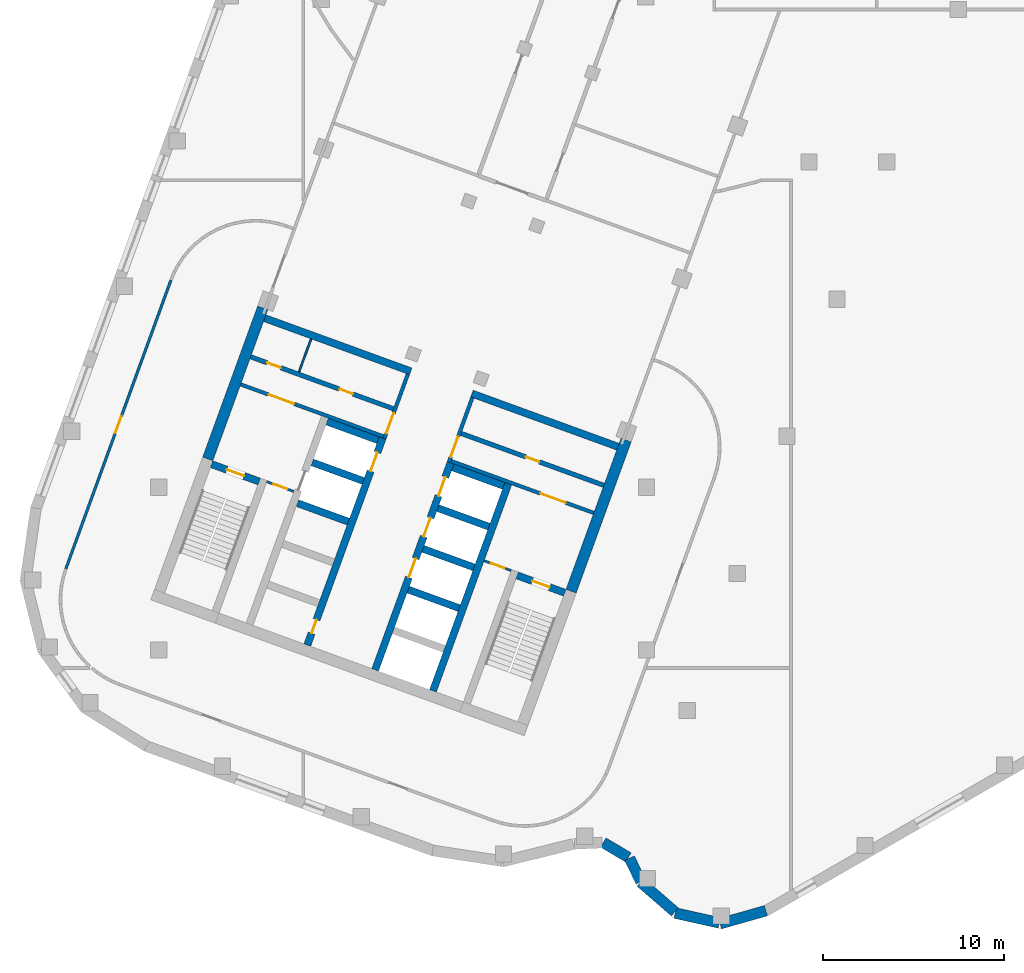
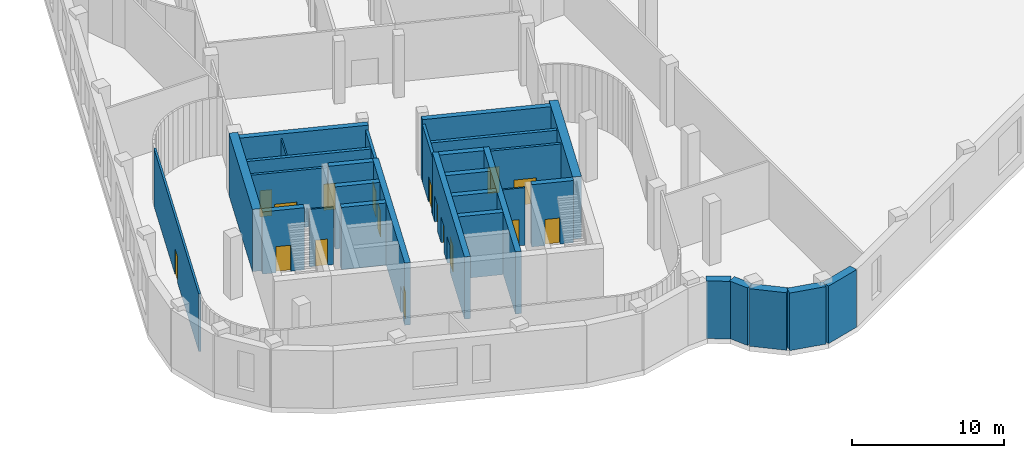
# One storey, part 4 of 18: 31 walls, 17 doors, 17 openings.
"""IFC4 building model written with IfcOpenShell, lengths in metres."""

from ifc_helpers import new_model, si_unit, direction, frame, frame_2d, origin, place, context, subcontext, project, spatial, rectangle, extrude, material, layer, layer_set, type_object, element, fill, save


model = new_model("IFC4")

# Units and contexts
model_context = context("Model", 3, precision=1e-05, world=origin(), true_north=direction((0.0, 1.0)))
body_context = subcontext(model_context, "Body", "Model", "MODEL_VIEW")
ifc_project = project(units=[si_unit("LENGTHUNIT", "METRE"), si_unit("AREAUNIT", "SQUARE_METRE"), si_unit("VOLUMEUNIT", "CUBIC_METRE"), si_unit("PLANEANGLEUNIT", "RADIAN"), si_unit("MASSUNIT", "GRAM", prefix="KILO")], contexts=[model_context])

# Site, building, storey
site_placement = place(None, origin())
site = spatial("IfcSite", under=ifc_project, at=site_placement, CompositionType="ELEMENT")
building_placement = place(site_placement, origin())
building = spatial("IfcBuilding", under=site, at=building_placement, Name="Skarvind Civic Tower", CompositionType="ELEMENT")
storey_placement = place(building_placement, frame((0.0, 0.0, 22.5)))
storey = spatial("IfcBuildingStorey", under=building, at=storey_placement, Name="L04", CompositionType="ELEMENT", Elevation=22.5)

# Wall, opening, door
ifc_material_1 = material(Name="Fire-rated masonry partition", Category="masonry")
ifc_layer_1 = layer(ifc_material_1, 0.199951171875)
ifc_layer_set_1 = layer_set([ifc_layer_1], Name="Core enclosure wall 200")
wall_type_1 = type_object("IfcWallType", Name="Core enclosure wall 200", PredefinedType="PARTITIONING", material=ifc_layer_set_1)
wall_1_placement = place(storey_placement, frame((31.491455078125, 93.693359375, 0.0), z_axis=(0.0, 0.0, 1.0), x_axis=(0.341995824804, 0.939701471648, 0.0)))
wall_1 = element("IfcWall", 1, at=wall_1_placement, inside=storey, type_object=wall_type_1, Name="Core wall C2", PredefinedType="PARTITIONING", context=body_context, shape_type="SweptSolid", body=[
    extrude(rectangle(XDim=3.800048828125, YDim=0.199951171875, at=frame_2d((1.89990234375, 0.0))), origin(), (0.0, 0.0, 1.0), 4.625),
])
opening_1_placement = place(wall_1_placement, frame((0.300048828125, 0.0, 0.0)))
opening_1 = element("IfcOpeningElement", 2, at=opening_1_placement, cuts=wall_1, Name="Opening D-L04-C2-06", PredefinedType="OPENING", context=body_context, shape_type="SweptSolid", body=[
    extrude(rectangle(XDim=1.199951171875, YDim=2.10009765625, at=frame_2d((0.60009765625, 1.050048828125))), frame((0.0, 0.10986328125, 0.0), z_axis=(0.0, -1.0, 0.0), x_axis=(1.0, 0.0, 0.0)), (0.0, 0.0, 1.0), 0.219970703125),
])
ifc_material_2 = material(Name="Fire-rated steel door", Category="steel")
door_type_1 = type_object("IfcDoorType", Name="Core lobby door 1200", OperationType="NOTDEFINED", PredefinedType="DOOR", material=ifc_material_2)
door_1_placement = place(opening_1_placement, origin())
door_1 = element("IfcDoor", 3, at=door_1_placement, inside=storey, type_object=door_type_1, Name="Fire door", OperationType="DOUBLE_DOOR_SINGLE_SWING", OverallHeight=2.10009765625, OverallWidth=1.199951171875, PredefinedType="DOOR", context=body_context, shape_type="SweptSolid", body=[
    extrude(rectangle(XDim=1.199951171875, YDim=2.10009765625, at=frame_2d((0.60009765625, 1.050048828125))), frame((0.0, 0.02490234375, 0.0), z_axis=(0.0, -1.0, 0.0), x_axis=(1.0, 0.0, 0.0)), (0.0, 0.0, 1.0), 0.050048828125),
])
fill(opening_1, door_1)

wall_2_placement = place(storey_placement, frame((23.5380859375, 96.6943359375, 0.0), z_axis=(0.0, 0.0, 1.0), x_axis=(0.939691552312, -0.342023078919, 0.0)))
wall_2 = element("IfcWall", 4, at=wall_2_placement, inside=storey, type_object=wall_type_1, Name="Core wall C2", PredefinedType="PARTITIONING", context=body_context, shape_type="SweptSolid", body=[
    extrude(rectangle(XDim=8.400146484375, YDim=0.199951171875, at=frame_2d((4.2001953125, 0.0))), origin(), (0.0, 0.0, 1.0), 4.625),
])
opening_2_placement = place(wall_2_placement, frame((1.64990234375, 0.0, 0.0)))
opening_2 = element("IfcOpeningElement", 5, at=opening_2_placement, cuts=wall_2, Name="Opening D-L04-C2-07", PredefinedType="OPENING", context=body_context, shape_type="SweptSolid", body=[
    extrude(rectangle(XDim=1.5, YDim=2.10009765625, at=frame_2d((0.75, 1.050048828125))), frame((0.0, 0.10986328125, 0.0), z_axis=(0.0, -1.0, 0.0), x_axis=(1.0, 0.0, 0.0)), (0.0, 0.0, 1.0), 0.219970703125),
])
door_type_2 = type_object("IfcDoorType", Name="Fire door 1500", OperationType="NOTDEFINED", PredefinedType="DOOR", material=ifc_material_2)
door_2_placement = place(opening_2_placement, origin())
door_2 = element("IfcDoor", 6, at=door_2_placement, inside=storey, type_object=door_type_2, Name="Fire door", OperationType="DOUBLE_DOOR_SINGLE_SWING", OverallHeight=2.10009765625, OverallWidth=1.5, PredefinedType="DOOR", context=body_context, shape_type="SweptSolid", body=[
    extrude(rectangle(XDim=1.5, YDim=2.10009765625, at=frame_2d((0.75, 1.050048828125))), frame((0.0, 0.02490234375, 0.0), z_axis=(0.0, -1.0, 0.0), x_axis=(1.0, 0.0, 0.0)), (0.0, 0.0, 1.0), 0.050048828125),
])
fill(opening_2, door_2)

wall_3_placement = place(storey_placement, frame((36.36181640625, 95.96435546875, 0.0), z_axis=(0.0, 0.0, 1.0), x_axis=(-0.341995824804, -0.939701471648, 0.0)))
wall_3 = element("IfcWall", 7, at=wall_3_placement, inside=storey, type_object=wall_type_1, Name="Core wall C2", PredefinedType="PARTITIONING", context=body_context, shape_type="SweptSolid", body=[
    extrude(rectangle(XDim=3.800048828125, YDim=0.199951171875, at=frame_2d((1.89990234375, 0.0))), origin(), (0.0, 0.0, 1.0), 4.625),
])
opening_3_placement = place(wall_3_placement, frame((2.300048828125, 0.0, 0.0)))
opening_3 = element("IfcOpeningElement", 8, at=opening_3_placement, cuts=wall_3, Name="Opening D-L04-C2-12", PredefinedType="OPENING", context=body_context, shape_type="SweptSolid", body=[
    extrude(rectangle(XDim=1.199951171875, YDim=2.10009765625, at=frame_2d((0.60009765625, 1.050048828125))), frame((0.0, 0.10986328125, 0.0), z_axis=(0.0, -1.0, 0.0), x_axis=(1.0, 0.0, 0.0)), (0.0, 0.0, 1.0), 0.219970703125),
])
door_3_placement = place(opening_3_placement, origin())
door_3 = element("IfcDoor", 9, at=door_3_placement, inside=storey, type_object=door_type_1, Name="Fire door", OperationType="DOUBLE_DOOR_SINGLE_SWING", OverallHeight=2.10009765625, OverallWidth=1.199951171875, PredefinedType="DOOR", context=body_context, shape_type="SweptSolid", body=[
    extrude(rectangle(XDim=1.199951171875, YDim=2.10009765625, at=frame_2d((0.60009765625, 1.050048828125))), frame((0.0, 0.02490234375, 0.0), z_axis=(0.0, -1.0, 0.0), x_axis=(1.0, 0.0, 0.0)), (0.0, 0.0, 1.0), 0.050048828125),
])
fill(opening_3, door_3)

wall_4_placement = place(storey_placement, frame((35.1904296875, 92.453369140625, 0.0), z_axis=(0.0, 0.0, 1.0), x_axis=(0.939691552312, -0.342023078919, 0.0)))
wall_4 = element("IfcWall", 10, at=wall_4_placement, inside=storey, type_object=wall_type_1, Name="Core wall C2", PredefinedType="PARTITIONING", context=body_context, shape_type="SweptSolid", body=[
    extrude(rectangle(XDim=8.400146484375, YDim=0.199951171875, at=frame_2d((4.2001953125, 0.0))), origin(), (0.0, 0.0, 1.0), 4.625),
])
opening_4_placement = place(wall_4_placement, frame((5.25, 0.0, 0.0)))
opening_4 = element("IfcOpeningElement", 11, at=opening_4_placement, cuts=wall_4, Name="Opening D-L04-C2-13", PredefinedType="OPENING", context=body_context, shape_type="SweptSolid", body=[
    extrude(rectangle(XDim=1.5, YDim=2.10009765625, at=frame_2d((0.75, 1.050048828125))), frame((0.0, 0.10986328125, 0.0), z_axis=(0.0, -1.0, 0.0), x_axis=(1.0, 0.0, 0.0)), (0.0, 0.0, 1.0), 0.219970703125),
])
door_4_placement = place(opening_4_placement, origin())
door_4 = element("IfcDoor", 12, at=door_4_placement, inside=storey, type_object=door_type_2, Name="Fire door", OperationType="DOUBLE_DOOR_SINGLE_SWING", OverallHeight=2.10009765625, OverallWidth=1.5, PredefinedType="DOOR", context=body_context, shape_type="SweptSolid", body=[
    extrude(rectangle(XDim=1.5, YDim=2.10009765625, at=frame_2d((0.75, 1.050048828125))), frame((0.0, 0.02490234375, 0.0), z_axis=(0.0, -1.0, 0.0), x_axis=(1.0, 0.0, 0.0)), (0.0, 0.0, 1.0), 0.050048828125),
])
fill(opening_4, door_4)

# Wall
ifc_material_3 = material(Name="Fire-rated plasterboard partition")
ifc_layer_2 = layer(ifc_material_3, 0.10009765625)
ifc_layer_set_2 = layer_set([ifc_layer_2], Name="Core partition wall 100")
wall_type_2 = type_object("IfcWallType", Name="Core partition wall 100", PredefinedType="PARTITIONING", material=ifc_layer_set_2)
wall_5_placement = place(storey_placement, frame((26.767822265625, 97.381103515625, 0.0), z_axis=(0.0, 0.0, 1.0), x_axis=(0.342024501273, 0.939691034611, 0.0)))
element("IfcWall", 13, at=wall_5_placement, inside=storey, type_object=wall_type_2, Name="Core wall C2", PredefinedType="PARTITIONING", context=body_context, shape_type="SweptSolid", body=[
    extrude(rectangle(XDim=1.9501953125, YDim=0.10009765625, at=frame_2d((0.97509765625, 0.0))), origin(), (0.0, 0.0, 1.0), 4.625),
])

# Wall, opening, door
ifc_material_4 = material(Name="Concrete C80", Category="concrete")
ifc_layer_3 = layer(ifc_material_4, 0.39990234375)
ifc_layer_set_3 = layer_set([ifc_layer_3], Name="Core wall 400 C80")
wall_type_3 = type_object("IfcWallType", Name="Core wall 400 C80", PredefinedType="SHEAR", material=ifc_layer_set_3)
wall_6_placement = place(storey_placement, frame((41.476318359375, 85.163818359375, 0.0), z_axis=(0.0, 0.0, 1.0), x_axis=(-0.939678810556, 0.342058084236, 0.0)))
wall_6 = element("IfcWall", 14, at=wall_6_placement, inside=storey, type_object=wall_type_3, Name="Core wall C2 south stair end L04", PredefinedType="SHEAR", context=body_context, shape_type="SweptSolid", body=[
    extrude(rectangle(XDim=2.800048828125, YDim=0.39990234375, at=frame_2d((1.39990234375, 0.0))), origin(), (0.0, 0.0, 1.0), 5.0),
])
opening_5_placement = place(wall_6_placement, frame((0.89990234375, 0.0, 0.0)))
opening_5 = element("IfcOpeningElement", 15, at=opening_5_placement, cuts=wall_6, Name="Opening D-L04-C2-14", PredefinedType="OPENING", context=body_context, shape_type="SweptSolid", body=[
    extrude(rectangle(XDim=1.0, YDim=2.10009765625, at=frame_2d((0.5, 1.050048828125))), frame((0.0, 0.2099609375, 0.0), z_axis=(0.0, -1.0, 0.0), x_axis=(1.0, 0.0, 0.0)), (0.0, 0.0, 1.0), 0.419921875),
])
door_type_3 = type_object("IfcDoorType", Name="Fire door 1000", OperationType="NOTDEFINED", PredefinedType="DOOR", material=ifc_material_2)
door_5_placement = place(opening_5_placement, origin())
door_5 = element("IfcDoor", 16, at=door_5_placement, inside=storey, type_object=door_type_3, Name="Fire door", OperationType="SINGLE_SWING_RIGHT", OverallHeight=2.10009765625, OverallWidth=1.0, PredefinedType="DOOR", context=body_context, shape_type="SweptSolid", body=[
    extrude(rectangle(XDim=1.0, YDim=2.10009765625, at=frame_2d((0.5, 1.050048828125))), frame((0.0, 0.02490234375, 0.0), z_axis=(0.0, -1.0, 0.0), x_axis=(1.0, 0.0, 0.0)), (0.0, 0.0, 1.0), 0.050048828125),
])
fill(opening_5, door_5)

wall_7_placement = place(storey_placement, frame((24.56201171875, 91.3203125, 0.0), z_axis=(0.0, 0.0, 1.0), x_axis=(-0.939717030584, 0.341953070509, 0.0)))
wall_7 = element("IfcWall", 17, at=wall_7_placement, inside=storey, type_object=wall_type_3, Name="Core wall C2 north stair end L04", PredefinedType="SHEAR", context=body_context, shape_type="SweptSolid", body=[
    extrude(rectangle(XDim=2.800048828125, YDim=0.39990234375, at=frame_2d((1.39990234375, 0.0))), origin(), (0.0, 0.0, 1.0), 5.0),
])
opening_6_placement = place(wall_7_placement, frame((0.89990234375, 0.0, 0.0)))
opening_6 = element("IfcOpeningElement", 18, at=opening_6_placement, cuts=wall_7, Name="Opening D-L04-C2-08", PredefinedType="OPENING", context=body_context, shape_type="SweptSolid", body=[
    extrude(rectangle(XDim=1.0, YDim=2.10009765625, at=frame_2d((0.5, 1.050048828125))), frame((0.0, 0.2099609375, 0.0), z_axis=(0.0, -1.0, 0.0), x_axis=(1.0, 0.0, 0.0)), (0.0, 0.0, 1.0), 0.419921875),
])
door_6_placement = place(opening_6_placement, origin())
door_6 = element("IfcDoor", 19, at=door_6_placement, inside=storey, type_object=door_type_3, Name="Fire door", OperationType="SINGLE_SWING_LEFT", OverallHeight=2.10009765625, OverallWidth=1.0, PredefinedType="DOOR", context=body_context, shape_type="SweptSolid", body=[
    extrude(rectangle(XDim=1.0, YDim=2.10009765625, at=frame_2d((0.5, 1.050048828125))), frame((0.0, 0.02490234375, 0.0), z_axis=(0.0, -1.0, 0.0), x_axis=(1.0, 0.0, 0.0)), (0.0, 0.0, 1.0), 0.050048828125),
])
fill(opening_6, door_6)

# Wall, openings, doors
wall_8_placement = place(storey_placement, frame((30.983642578125, 80.895263671875, 0.0), z_axis=(0.0, 0.0, 1.0), x_axis=(0.342021021735, 0.939692301071, 0.0)))
wall_8 = element("IfcWall", 20, at=wall_8_placement, inside=storey, type_object=wall_type_3, Name="Core wall C2 south lift row front L04", PredefinedType="SHEAR", context=body_context, shape_type="SweptSolid", body=[
    extrude(rectangle(XDim=12.199951171875, YDim=0.39990234375, at=frame_2d((6.10009765625, 0.0))), origin(), (0.0, 0.0, 1.0), 5.0),
])
opening_7_placement = place(wall_8_placement, frame((5.449951171875, 0.0, 0.0)))
opening_7 = element("IfcOpeningElement", 21, at=opening_7_placement, cuts=wall_8, Name="Opening LD06208", PredefinedType="OPENING", context=body_context, shape_type="SweptSolid", body=[
    extrude(rectangle(XDim=1.10009765625, YDim=2.10009765625, at=frame_2d((0.550048828125, 1.050048828125))), frame((0.0, 0.2099609375, 0.0), z_axis=(0.0, -1.0, 0.0), x_axis=(1.0, 0.0, 0.0)), (0.0, 0.0, 1.0), 0.419921875),
])
opening_8_placement = place(wall_8_placement, frame((7.85009765625, 0.0, 0.0)))
opening_8 = element("IfcOpeningElement", 22, at=opening_8_placement, cuts=wall_8, Name="Opening LD06209", PredefinedType="OPENING", context=body_context, shape_type="SweptSolid", body=[
    extrude(rectangle(XDim=1.10009765625, YDim=2.10009765625, at=frame_2d((0.550048828125, 1.050048828125))), frame((0.0, 0.2099609375, 0.0), z_axis=(0.0, -1.0, 0.0), x_axis=(1.0, 0.0, 0.0)), (0.0, 0.0, 1.0), 0.419921875),
])
opening_9_placement = place(wall_8_placement, frame((10.25, 0.0, 0.0)))
opening_9 = element("IfcOpeningElement", 23, at=opening_9_placement, cuts=wall_8, Name="Opening LD06210", PredefinedType="OPENING", context=body_context, shape_type="SweptSolid", body=[
    extrude(rectangle(XDim=1.10009765625, YDim=2.10009765625, at=frame_2d((0.550048828125, 1.050048828125))), frame((0.0, 0.2099609375, 0.0), z_axis=(0.0, -1.0, 0.0), x_axis=(1.0, 0.0, 0.0)), (0.0, 0.0, 1.0), 0.419921875),
])
ifc_material_5 = material(Name="Stainless steel landing door", Category="steel")
door_type_4 = type_object("IfcDoorType", Name="Lift landing door 1100", OperationType="DOUBLE_DOOR_SLIDING", PredefinedType="DOOR", material=ifc_material_5)
door_7_placement = place(opening_7_placement, origin())
door_7 = element("IfcDoor", 24, at=door_7_placement, inside=storey, type_object=door_type_4, Name="Lift landing door", OperationType="DOUBLE_DOOR_SLIDING", OverallHeight=2.10009765625, OverallWidth=1.10009765625, PredefinedType="DOOR", context=body_context, shape_type="SweptSolid", body=[
    extrude(rectangle(XDim=1.10009765625, YDim=2.10009765625, at=frame_2d((0.550048828125, 1.050048828125))), frame((0.0, 0.02490234375, 0.0), z_axis=(0.0, -1.0, 0.0), x_axis=(1.0, 0.0, 0.0)), (0.0, 0.0, 1.0), 0.050048828125),
])
fill(opening_7, door_7)
door_8_placement = place(opening_8_placement, origin())
door_8 = element("IfcDoor", 25, at=door_8_placement, inside=storey, type_object=door_type_4, Name="Lift landing door", OperationType="DOUBLE_DOOR_SLIDING", OverallHeight=2.10009765625, OverallWidth=1.10009765625, PredefinedType="DOOR", context=body_context, shape_type="SweptSolid", body=[
    extrude(rectangle(XDim=1.10009765625, YDim=2.10009765625, at=frame_2d((0.550048828125, 1.050048828125))), frame((0.0, 0.02490234375, 0.0), z_axis=(0.0, -1.0, 0.0), x_axis=(1.0, 0.0, 0.0)), (0.0, 0.0, 1.0), 0.050048828125),
])
fill(opening_8, door_8)
door_9_placement = place(opening_9_placement, origin())
door_9 = element("IfcDoor", 26, at=door_9_placement, inside=storey, type_object=door_type_4, Name="Lift landing door", OperationType="DOUBLE_DOOR_SLIDING", OverallHeight=2.10009765625, OverallWidth=1.10009765625, PredefinedType="DOOR", context=body_context, shape_type="SweptSolid", body=[
    extrude(rectangle(XDim=1.10009765625, YDim=2.10009765625, at=frame_2d((0.550048828125, 1.050048828125))), frame((0.0, 0.02490234375, 0.0), z_axis=(0.0, -1.0, 0.0), x_axis=(1.0, 0.0, 0.0)), (0.0, 0.0, 1.0), 0.050048828125),
])
fill(opening_9, door_9)

# Walls
wall_9_placement = place(storey_placement, frame((34.178466796875, 79.732177734375, 0.0), z_axis=(0.0, 0.0, 1.0), x_axis=(0.342014590177, 0.939694641948, 0.0)))
element("IfcWall", 27, at=wall_9_placement, inside=storey, type_object=wall_type_3, Name="Core wall C2 south lift row back L04", PredefinedType="SHEAR", context=body_context, shape_type="SweptSolid", body=[
    extrude(rectangle(XDim=12.2001953125, YDim=0.39990234375, at=frame_2d((6.10009765625, 0.0))), origin(), (0.0, 0.0, 1.0), 5.0),
])
for number, where, z_axis, x_axis, name in (
    (28, (35.63232421875, 84.311279296875, 0.0), (0.0, 0.0, 1.0), (-0.939712609717, 0.341965219194, 0.0), "Core wall C2 south lift row division 2 L04"),
    (29, (36.453125, 86.56640625, 0.0), (0.0, 0.0, 1.0), (-0.939686455819, 0.342037080957, 0.0), "Core wall C2 south lift row division 3 L04"),
    (30, (37.27392578125, 88.82177734375, 0.0), (0.0, 0.0, 1.0), (-0.939686455819, 0.342037080957, 0.0), "Core wall C2 south lift row division 4 L04"),
):
    element("IfcWall", number, at=place(storey_placement, frame(where, z_axis=z_axis, x_axis=x_axis)), inside=storey, type_object=wall_type_3, Name=name, PredefinedType="SHEAR", context=body_context, shape_type="SweptSolid", body=[
        extrude(rectangle(XDim=3.0, YDim=0.39990234375, at=frame_2d((1.5, 0.0))), origin(), (0.0, 0.0, 1.0), 5.0),
    ])
wall_10_placement = place(storey_placement, frame((38.0947265625, 91.076904296875, 0.0), z_axis=(0.0, 0.0, 1.0), x_axis=(-0.939676934218, 0.342063238742, 0.0)))
element("IfcWall", 31, at=wall_10_placement, inside=storey, type_object=wall_type_3, Name="Core wall C2 south lift row division 5 L04", PredefinedType="SHEAR", context=body_context, shape_type="SweptSolid", body=[
    extrude(rectangle(XDim=2.999755859375, YDim=0.39990234375, at=frame_2d((1.5, 0.0))), origin(), (0.0, 0.0, 1.0), 5.0),
])

# Wall, openings, doors
wall_11_placement = place(storey_placement, frame((27.224853515625, 82.26318359375, 0.0), z_axis=(0.0, 0.0, 1.0), x_axis=(0.342014590177, 0.939694641948, 0.0)))
wall_11 = element("IfcWall", 32, at=wall_11_placement, inside=storey, type_object=wall_type_3, Name="Core wall C2 north lift row front L04", PredefinedType="SHEAR", context=body_context, shape_type="SweptSolid", body=[
    extrude(rectangle(XDim=12.2001953125, YDim=0.39990234375, at=frame_2d((6.10009765625, 0.0))), origin(), (0.0, 0.0, 1.0), 5.0),
])
opening_10_placement = place(wall_11_placement, frame((10.25, 0.0, 0.0)))
opening_10 = element("IfcOpeningElement", 33, at=opening_10_placement, cuts=wall_11, Name="Opening LD06205", PredefinedType="OPENING", context=body_context, shape_type="SweptSolid", body=[
    extrude(rectangle(XDim=1.10009765625, YDim=2.10009765625, at=frame_2d((0.550048828125, 1.050048828125))), frame((0.0, 0.2099609375, 0.0), z_axis=(0.0, -1.0, 0.0), x_axis=(1.0, 0.0, 0.0)), (0.0, 0.0, 1.0), 0.419921875),
])
opening_11_placement = place(wall_11_placement, frame((0.699951171875, 0.0, 0.0)))
opening_11 = element("IfcOpeningElement", 34, at=opening_11_placement, cuts=wall_11, Name="Opening D-L04-C2-05", PredefinedType="OPENING", context=body_context, shape_type="SweptSolid", body=[
    extrude(rectangle(XDim=0.800048828125, YDim=2.10009765625, at=frame_2d((0.39990234375, 1.050048828125))), frame((0.0, 0.2099609375, 0.0), z_axis=(0.0, -1.0, 0.0), x_axis=(1.0, 0.0, 0.0)), (0.0, 0.0, 1.0), 0.419921875),
])
door_type_5 = type_object("IfcDoorType", Name="Core riser door 800", OperationType="NOTDEFINED", PredefinedType="DOOR", material=ifc_material_2)
door_10_placement = place(opening_11_placement, origin())
door_10 = element("IfcDoor", 35, at=door_10_placement, inside=storey, type_object=door_type_5, Name="Riser door", OperationType="SINGLE_SWING_LEFT", OverallHeight=2.10009765625, OverallWidth=0.800048828125, PredefinedType="DOOR", context=body_context, shape_type="SweptSolid", body=[
    extrude(rectangle(XDim=0.800048828125, YDim=2.10009765625, at=frame_2d((0.39990234375, 1.050048828125))), frame((0.0, 0.02490234375, 0.0), z_axis=(0.0, -1.0, 0.0), x_axis=(1.0, 0.0, 0.0)), (0.0, 0.0, 1.0), 0.050048828125),
])
fill(opening_11, door_10)
door_11_placement = place(opening_10_placement, origin())
door_11 = element("IfcDoor", 36, at=door_11_placement, inside=storey, type_object=door_type_4, Name="Lift landing door", OperationType="DOUBLE_DOOR_SLIDING", OverallHeight=2.10009765625, OverallWidth=1.10009765625, PredefinedType="DOOR", context=body_context, shape_type="SweptSolid", body=[
    extrude(rectangle(XDim=1.10009765625, YDim=2.10009765625, at=frame_2d((0.550048828125, 1.050048828125))), frame((0.0, 0.02490234375, 0.0), z_axis=(0.0, -1.0, 0.0), x_axis=(1.0, 0.0, 0.0)), (0.0, 0.0, 1.0), 0.050048828125),
])
fill(opening_10, door_11)

# Walls
for number, where, z_axis, x_axis, name in (
    (37, (29.49951171875, 89.097412109375, 0.0), (0.0, 0.0, 1.0), (-0.939686455819, 0.342037080957, 0.0), "Core wall C2 north lift row division 3 L04"),
    (38, (30.3203125, 91.352783203125, 0.0), (0.0, 0.0, 1.0), (-0.939712609717, 0.341965219194, 0.0), "Core wall C2 north lift row division 4 L04"),
    (39, (31.14111328125, 93.60791015625, 0.0), (0.0, 0.0, 1.0), (-0.939686455819, 0.342037080957, 0.0), "Core wall C2 north lift row division 5 L04"),
):
    element("IfcWall", number, at=place(storey_placement, frame(where, z_axis=z_axis, x_axis=x_axis)), inside=storey, type_object=wall_type_3, Name=name, PredefinedType="SHEAR", context=body_context, shape_type="SweptSolid", body=[
        extrude(rectangle(XDim=3.0, YDim=0.39990234375, at=frame_2d((1.5, 0.0))), origin(), (0.0, 0.0, 1.0), 5.0),
    ])
for number, where, z_axis, x_axis, name in (
    (40, (44.417724609375, 93.2451171875, 0.0), (0.0, 0.0, 1.0), (-0.93969060187, 0.342025690201, 0.0), "Core wall C2 south inner face L04"),
    (41, (32.953369140625, 97.417724609375, 0.0), (0.0, 0.0, 1.0), (-0.93969060187, 0.342025690201, 0.0), "Core wall C2 north inner face L04"),
):
    element("IfcWall", number, at=place(storey_placement, frame(where, z_axis=z_axis, x_axis=x_axis)), inside=storey, type_object=wall_type_3, Name=name, PredefinedType="SHEAR", context=body_context, shape_type="SweptSolid", body=[
        extrude(rectangle(XDim=8.599853515625, YDim=0.39990234375, at=frame_2d((4.2998046875, 0.0))), origin(), (0.0, 0.0, 1.0), 5.0),
    ])
ifc_layer_4 = layer(ifc_material_4, 0.60009765625)
ifc_layer_set_4 = layer_set([ifc_layer_4], Name="Core wall 600 C80")
wall_type_4 = type_object("IfcWallType", Name="Core wall 600 C80", PredefinedType="SHEAR", material=ifc_layer_set_4)
for number, where, z_axis, x_axis, name in (
    (42, (41.82666015625, 85.249267578125, 0.0), (0.0, 0.0, 1.0), (0.342016162452, 0.939694069696, 0.0), "Core wall C2 south side L04"),
    (43, (21.71728515625, 92.568359375, 0.0), (0.0, 0.0, 1.0), (0.342016162452, 0.939694069696, 0.0), "Core wall C2 north side L04"),
):
    element("IfcWall", number, at=place(storey_placement, frame(where, z_axis=z_axis, x_axis=x_axis)), inside=storey, type_object=wall_type_4, Name=name, PredefinedType="SHEAR", context=body_context, shape_type="SweptSolid", body=[
        extrude(rectangle(XDim=8.89990234375, YDim=0.60009765625, at=frame_2d((4.449951171875, 0.0))), origin(), (0.0, 0.0, 1.0), 5.0),
    ])

# Wall, opening, door
ifc_material_6 = material(Name="Plasterboard partition on steel studs", Category="steel")
ifc_layer_5 = layer(ifc_material_6, 0.14990234375)
ifc_layer_set_5 = layer_set([ifc_layer_5], Name="PARTITION 150")
wall_type_5 = type_object("IfcWallType", Name="PARTITION 150", PredefinedType="PARTITIONING", material=ifc_layer_set_5)
wall_12_placement = place(storey_placement, frame((13.863037109375, 86.486083984375, 0.0), z_axis=(0.0, 0.0, 1.0), x_axis=(0.342040480313, 0.939685218478, 0.0)))
wall_12 = element("IfcWall", 44, at=wall_12_placement, inside=storey, type_object=wall_type_5, Name="Podium partition L04 010", PredefinedType="PARTITIONING", context=body_context, shape_type="SweptSolid", body=[
    extrude(rectangle(XDim=17.003662109375, YDim=0.14990234375, at=frame_2d((8.501953125, 0.0))), origin(), (0.0, 0.0, 1.0), 4.625),
])
opening_12_placement = place(wall_12_placement, frame((8.001953125, 0.0, 0.0)))
opening_12 = element("IfcOpeningElement", 45, at=opening_12_placement, cuts=wall_12, Name="Opening L04-D201", PredefinedType="OPENING", context=body_context, shape_type="SweptSolid", body=[
    extrude(rectangle(XDim=1.0, YDim=2.10009765625, at=frame_2d((0.5, 1.050048828125))), frame((0.0, 0.0849609375, 0.0), z_axis=(0.0, -1.0, 0.0), x_axis=(1.0, 0.0, 0.0)), (0.0, 0.0, 1.0), 0.169921875),
])
ifc_material_7 = material(Name="Timber veneer door leaf", Category="wood")
door_type_6 = type_object("IfcDoorType", Name="DOOR 1000X2100 TIMBER", OperationType="NOTDEFINED", PredefinedType="DOOR", material=ifc_material_7)
door_12_placement = place(opening_12_placement, origin())
door_12 = element("IfcDoor", 46, at=door_12_placement, inside=storey, type_object=door_type_6, Name="DOOR DOOR", OperationType="SINGLE_SWING_RIGHT", OverallHeight=2.10009765625, OverallWidth=1.0, PredefinedType="DOOR", context=body_context, shape_type="SweptSolid", body=[
    extrude(rectangle(XDim=1.0, YDim=2.10009765625, at=frame_2d((0.5, 1.050048828125))), frame((0.0, 0.02490234375, 0.0), z_axis=(0.0, -1.0, 0.0), x_axis=(1.0, 0.0, 0.0)), (0.0, 0.0, 1.0), 0.050048828125),
])
fill(opening_12, door_12)

ifc_layer_6 = layer(ifc_material_1, 0.125)
ifc_layer_set_6 = layer_set([ifc_layer_6], Name="Riser wall 125")
wall_type_6 = type_object("IfcWallType", Name="Riser wall 125", PredefinedType="PARTITIONING", material=ifc_layer_set_6)
wall_13_placement = place(storey_placement, frame((24.98486328125, 91.3125, 0.0), z_axis=(0.0, 0.0, 1.0), x_axis=(0.939708740826, -0.341975850632, 0.0)))
wall_13 = element("IfcWall", 47, at=wall_13_placement, inside=storey, type_object=wall_type_6, Name="Core wall C2", PredefinedType="PARTITIONING", context=body_context, shape_type="SweptSolid", body=[
    extrude(rectangle(XDim=1.599853515625, YDim=0.125, at=frame_2d((0.7998046875, 0.0))), origin(), (0.0, 0.0, 1.0), 4.625),
])
opening_13_placement = place(wall_13_placement, frame((0.39990234375, 0.0, 0.0)))
opening_13 = element("IfcOpeningElement", 48, at=opening_13_placement, cuts=wall_13, Name="Opening D-L04-C2-09", PredefinedType="OPENING", context=body_context, shape_type="SweptSolid", body=[
    extrude(rectangle(XDim=0.800048828125, YDim=2.10009765625, at=frame_2d((0.39990234375, 1.050048828125))), frame((0.0, 0.072509765625, 0.0), z_axis=(0.0, -1.0, 0.0), x_axis=(1.0, 0.0, 0.0)), (0.0, 0.0, 1.0), 0.14501953125),
])
door_13_placement = place(opening_13_placement, origin())
door_13 = element("IfcDoor", 49, at=door_13_placement, inside=storey, type_object=door_type_5, Name="Riser door", OperationType="SINGLE_SWING_RIGHT", OverallHeight=2.10009765625, OverallWidth=0.800048828125, PredefinedType="DOOR", context=body_context, shape_type="SweptSolid", body=[
    extrude(rectangle(XDim=0.800048828125, YDim=2.10009765625, at=frame_2d((0.39990234375, 1.050048828125))), frame((0.0, 0.02490234375, 0.0), z_axis=(0.0, -1.0, 0.0), x_axis=(1.0, 0.0, 0.0)), (0.0, 0.0, 1.0), 0.050048828125),
])
fill(opening_13, door_13)

wall_14_placement = place(storey_placement, frame((37.012939453125, 86.934814453125, 0.0), z_axis=(0.0, 0.0, 1.0), x_axis=(0.939659694648, -0.342110593602, 0.0)))
wall_14 = element("IfcWall", 50, at=wall_14_placement, inside=storey, type_object=wall_type_6, Name="Core wall C2", PredefinedType="PARTITIONING", context=body_context, shape_type="SweptSolid", body=[
    extrude(rectangle(XDim=1.599853515625, YDim=0.125, at=frame_2d((0.7998046875, 0.0))), origin(), (0.0, 0.0, 1.0), 4.625),
])
opening_14_placement = place(wall_14_placement, frame((0.39990234375, 0.0, 0.0)))
opening_14 = element("IfcOpeningElement", 51, at=opening_14_placement, cuts=wall_14, Name="Opening D-L04-C2-15", PredefinedType="OPENING", context=body_context, shape_type="SweptSolid", body=[
    extrude(rectangle(XDim=0.800048828125, YDim=2.10009765625, at=frame_2d((0.39990234375, 1.050048828125))), frame((0.0, 0.072509765625, 0.0), z_axis=(0.0, -1.0, 0.0), x_axis=(1.0, 0.0, 0.0)), (0.0, 0.0, 1.0), 0.14501953125),
])
door_14_placement = place(opening_14_placement, origin())
door_14 = element("IfcDoor", 52, at=door_14_placement, inside=storey, type_object=door_type_5, Name="Riser door", OperationType="SINGLE_SWING_LEFT", OverallHeight=2.10009765625, OverallWidth=0.800048828125, PredefinedType="DOOR", context=body_context, shape_type="SweptSolid", body=[
    extrude(rectangle(XDim=0.800048828125, YDim=2.10009765625, at=frame_2d((0.39990234375, 1.050048828125))), frame((0.0, 0.02490234375, 0.0), z_axis=(0.0, -1.0, 0.0), x_axis=(1.0, 0.0, 0.0)), (0.0, 0.0, 1.0), 0.050048828125),
])
fill(opening_14, door_14)

# Wall, openings, doors
ifc_layer_7 = layer(ifc_material_1, 0.25)
ifc_layer_set_7 = layer_set([ifc_layer_7], Name="Service block wall 250")
wall_type_7 = type_object("IfcWallType", Name="Service block wall 250", PredefinedType="PARTITIONING", material=ifc_layer_set_7)
wall_15_placement = place(storey_placement, frame((24.093994140625, 98.221435546875, 0.0), z_axis=(0.0, 0.0, 1.0), x_axis=(0.939691552312, -0.342023078919, 0.0)))
wall_15 = element("IfcWall", 53, at=wall_15_placement, inside=storey, type_object=wall_type_7, Name="Core wall C2", PredefinedType="PARTITIONING", context=body_context, shape_type="SweptSolid", body=[
    extrude(rectangle(XDim=8.400146484375, YDim=0.25, at=frame_2d((4.2001953125, 0.0))), origin(), (0.0, 0.0, 1.0), 4.625),
])
opening_15_placement = place(wall_15_placement, frame((5.22509765625, 0.0, 0.0)))
opening_15 = element("IfcOpeningElement", 54, at=opening_15_placement, cuts=wall_15, Name="Opening D-L04-C2-10", PredefinedType="OPENING", context=body_context, shape_type="SweptSolid", body=[
    extrude(rectangle(XDim=0.800048828125, YDim=2.10009765625, at=frame_2d((0.39990234375, 1.050048828125))), frame((0.0, 0.135009765625, 0.0), z_axis=(0.0, -1.0, 0.0), x_axis=(1.0, 0.0, 0.0)), (0.0, 0.0, 1.0), 0.27001953125),
])
opening_16_placement = place(wall_15_placement, frame((0.97509765625, 0.0, 0.0)))
opening_16 = element("IfcOpeningElement", 55, at=opening_16_placement, cuts=wall_15, Name="Opening D-L04-C2-11", PredefinedType="OPENING", context=body_context, shape_type="SweptSolid", body=[
    extrude(rectangle(XDim=0.800048828125, YDim=2.10009765625, at=frame_2d((0.39990234375, 1.050048828125))), frame((0.0, 0.135009765625, 0.0), z_axis=(0.0, -1.0, 0.0), x_axis=(1.0, 0.0, 0.0)), (0.0, 0.0, 1.0), 0.27001953125),
])
door_15_placement = place(opening_15_placement, origin())
door_15 = element("IfcDoor", 56, at=door_15_placement, inside=storey, type_object=door_type_5, Name="Riser door", OperationType="SINGLE_SWING_LEFT", OverallHeight=2.10009765625, OverallWidth=0.800048828125, PredefinedType="DOOR", context=body_context, shape_type="SweptSolid", body=[
    extrude(rectangle(XDim=0.800048828125, YDim=2.10009765625, at=frame_2d((0.39990234375, 1.050048828125))), frame((0.0, 0.02490234375, 0.0), z_axis=(0.0, -1.0, 0.0), x_axis=(1.0, 0.0, 0.0)), (0.0, 0.0, 1.0), 0.050048828125),
])
fill(opening_15, door_15)
door_16_placement = place(opening_16_placement, origin())
door_16 = element("IfcDoor", 57, at=door_16_placement, inside=storey, type_object=door_type_5, Name="Riser door", OperationType="SINGLE_SWING_RIGHT", OverallHeight=2.10009765625, OverallWidth=0.800048828125, PredefinedType="DOOR", context=body_context, shape_type="SweptSolid", body=[
    extrude(rectangle(XDim=0.800048828125, YDim=2.10009765625, at=frame_2d((0.39990234375, 1.050048828125))), frame((0.0, 0.02490234375, 0.0), z_axis=(0.0, -1.0, 0.0), x_axis=(1.0, 0.0, 0.0)), (0.0, 0.0, 1.0), 0.050048828125),
])
fill(opening_16, door_16)

# Wall, opening, door
wall_16_placement = place(storey_placement, frame((35.74609375, 93.98046875, 0.0), z_axis=(0.0, 0.0, 1.0), x_axis=(0.939691552312, -0.342023078919, 0.0)))
wall_16 = element("IfcWall", 58, at=wall_16_placement, inside=storey, type_object=wall_type_7, Name="Core wall C2", PredefinedType="PARTITIONING", context=body_context, shape_type="SweptSolid", body=[
    extrude(rectangle(XDim=8.400146484375, YDim=0.25, at=frame_2d((4.2001953125, 0.0))), origin(), (0.0, 0.0, 1.0), 4.625),
])
opening_17_placement = place(wall_16_placement, frame((3.800048828125, 0.0, 0.0)))
opening_17 = element("IfcOpeningElement", 59, at=opening_17_placement, cuts=wall_16, Name="Opening D-L04-C2-16", PredefinedType="OPENING", context=body_context, shape_type="SweptSolid", body=[
    extrude(rectangle(XDim=0.800048828125, YDim=2.10009765625, at=frame_2d((0.39990234375, 1.050048828125))), frame((0.0, 0.135009765625, 0.0), z_axis=(0.0, -1.0, 0.0), x_axis=(1.0, 0.0, 0.0)), (0.0, 0.0, 1.0), 0.27001953125),
])
door_17_placement = place(opening_17_placement, origin())
door_17 = element("IfcDoor", 60, at=door_17_placement, inside=storey, type_object=door_type_5, Name="Riser door", OperationType="SINGLE_SWING_RIGHT", OverallHeight=2.10009765625, OverallWidth=0.800048828125, PredefinedType="DOOR", context=body_context, shape_type="SweptSolid", body=[
    extrude(rectangle(XDim=0.800048828125, YDim=2.10009765625, at=frame_2d((0.39990234375, 1.050048828125))), frame((0.0, 0.02490234375, 0.0), z_axis=(0.0, -1.0, 0.0), x_axis=(1.0, 0.0, 0.0)), (0.0, 0.0, 1.0), 0.050048828125),
])
fill(opening_17, door_17)

# Walls
ifc_material_8 = material(Name="Limestone masonry cladding on insulated backing", Category="masonry")
ifc_layer_8 = layer(ifc_material_8, 0.60009765625)
ifc_layer_set_8 = layer_set([ifc_layer_8], Name="WX1 STONE FACADE WALL 600")
wall_type_8 = type_object("IfcWallType", Name="WX1 STONE FACADE WALL 600", PredefinedType="SOLIDWALL", material=ifc_layer_set_8)
wall_17_placement = place(storey_placement, frame((44.998291015625, 70.511474609375, 0.0), z_axis=(0.0, 0.0, 1.0), x_axis=(-0.859405023985, 0.511295418275, 0.0)))
element("IfcWall", 61, at=wall_17_placement, inside=storey, type_object=wall_type_8, Name="STONE FACADE WALL", PredefinedType="SOLIDWALL", context=body_context, shape_type="SweptSolid", body=[
    extrude(rectangle(XDim=1.6171875, YDim=0.60009765625, at=frame_2d((0.80859375, 0.0))), origin(), (0.0, 0.0, 1.0), 4.625),
])
wall_18_placement = place(storey_placement, frame((45.689208984375, 69.1728515625, 0.0), z_axis=(0.0, 0.0, 1.0), x_axis=(-0.435706421579, 0.900088836835, 0.0)))
element("IfcWall", 62, at=wall_18_placement, inside=storey, type_object=wall_type_8, Name="STONE FACADE WALL", PredefinedType="SOLIDWALL", context=body_context, shape_type="SweptSolid", body=[
    extrude(rectangle(XDim=1.447265625, YDim=0.60009765625, at=frame_2d((0.7236328125, 0.0))), origin(), (0.0, 0.0, 1.0), 4.625),
])
for number, where, z_axis, x_axis, name in (
    (63, (47.568603515625, 67.498779296875, 0.0), (0.0, 0.0, 1.0), (-0.755885810724, 0.65470347574, 0.0), "STONE FACADE WALL"),
    (64, (50.026123046875, 66.8916015625, 0.0), (0.0, 0.0, 1.0), (-0.976143335466, 0.217127125495, 0.0), "STONE FACADE WALL"),
):
    element("IfcWall", number, at=place(storey_placement, frame(where, z_axis=z_axis, x_axis=x_axis)), inside=storey, type_object=wall_type_8, Name=name, PredefinedType="SOLIDWALL", context=body_context, shape_type="SweptSolid", body=[
        extrude(rectangle(XDim=2.497314453125, YDim=0.60009765625, at=frame_2d((1.24853515625, 0.0))), origin(), (0.0, 0.0, 1.0), 4.625),
    ])
wall_19_placement = place(storey_placement, frame((52.61181640625, 67.563232421875, 0.0), z_axis=(0.0, 0.0, 1.0), x_axis=(-0.962094751735, -0.272715398693, 0.0)))
element("IfcWall", 65, at=wall_19_placement, inside=storey, type_object=wall_type_8, Name="STONE FACADE WALL", PredefinedType="SOLIDWALL", context=body_context, shape_type="SweptSolid", body=[
    extrude(rectangle(XDim=2.63720703125, YDim=0.60009765625, at=frame_2d((1.318603515625, 0.0))), origin(), (0.0, 0.0, 1.0), 4.625),
])

save(model, "model.ifc")
